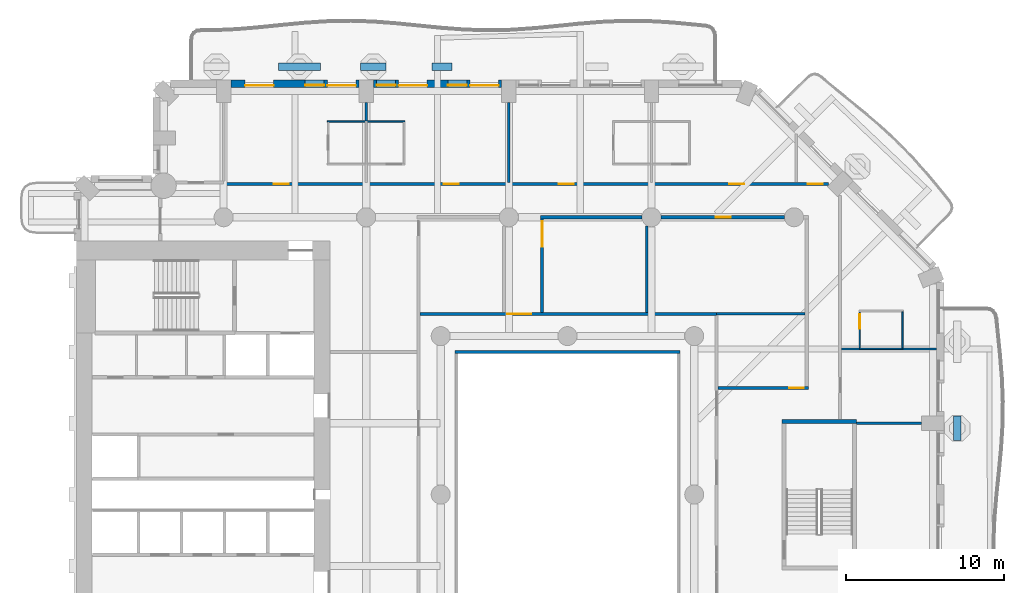
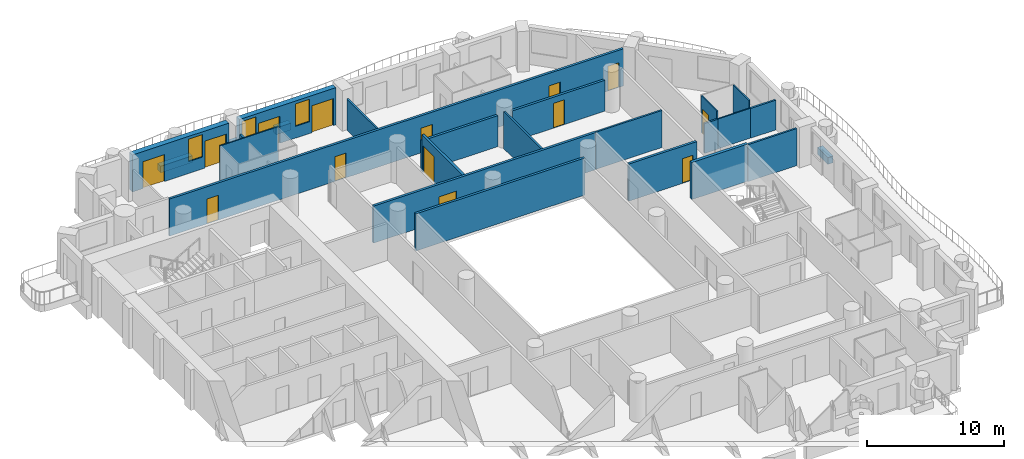
# One storey, part 8 of 19: 25 walls, 14 doors, 3 windows, 17 openings.
"""IFC4 building model written with IfcOpenShell, lengths in metres."""

from ifc_helpers import new_model, si_unit, direction, frame, frame_2d, origin, place, context, subcontext, project, spatial, rectangle, extrude, material, layer, layer_set, type_object, element, fill, save


model = new_model("IFC4")

# Units and contexts
model_context = context("Model", 3, precision=1e-05, world=origin(), true_north=direction((0.0, 1.0)))
body_context = subcontext(model_context, "Body", "Model", "MODEL_VIEW")
ifc_project = project(units=[si_unit("LENGTHUNIT", "METRE"), si_unit("AREAUNIT", "SQUARE_METRE"), si_unit("VOLUMEUNIT", "CUBIC_METRE"), si_unit("PLANEANGLEUNIT", "RADIAN"), si_unit("MASSUNIT", "GRAM", prefix="KILO")], contexts=[model_context])

# Site, building, storey
site_placement = place(None, origin())
site = spatial("IfcSite", under=ifc_project, at=site_placement, CompositionType="ELEMENT")
building_placement = place(site_placement, origin())
building = spatial("IfcBuilding", under=site, at=building_placement, Name="Cypress Arch Tower", CompositionType="ELEMENT")
storey_placement = place(building_placement, frame((0.0, 0.0, 69.89990234375)))
storey = spatial("IfcBuildingStorey", under=building, at=storey_placement, Name="L11", CompositionType="ELEMENT", Elevation=69.89990234375)

# Walls
ifc_material_1 = material(Name="Concrete C40/50, waterproofed", Category="concrete")
ifc_layer_1 = layer(ifc_material_1, 0.449951171875)
ifc_layer_set_1 = layer_set([ifc_layer_1], Name="Balcony planter wall PW450")
wall_type_1 = type_object("IfcWallType", Name="Balcony planter wall PW450", PredefinedType="SOLIDWALL", material=ifc_layer_set_1)
wall_1_placement = place(storey_placement, frame((25.60009765625, 3.42138671875, 0.0), z_axis=(0.0, 0.0, 1.0), x_axis=(0.0, 1.0, 0.0)))
element("IfcWall", 1, at=wall_1_placement, inside=storey, type_object=wall_type_1, Name="Balcony planter wall L11-A06.2", PredefinedType="SOLIDWALL", context=body_context, shape_type="SweptSolid", body=[
    extrude(rectangle(XDim=1.5224609375, YDim=0.449951171875, at=frame_2d((0.76123046875, 0.0))), origin(), (0.0, 0.0, 1.0), 0.60009765625),
])
wall_2_placement = place(storey_placement, frame((-6.300048828125, 27.0, 0.0), z_axis=(0.0, 0.0, 1.0), x_axis=(-1.0, 0.0, 0.0)))
element("IfcWall", 2, at=wall_2_placement, inside=storey, type_object=wall_type_1, Name="Balcony planter wall L11-A08.3", PredefinedType="SOLIDWALL", context=body_context, shape_type="SweptSolid", body=[
    extrude(rectangle(XDim=1.25, YDim=0.449951171875, at=frame_2d((0.625, 0.0))), origin(), (0.0, 0.0, 1.0), 0.60009765625),
])
wall_3_placement = place(storey_placement, frame((-10.4375, 27.0, 0.0), z_axis=(0.0, 0.0, 1.0), x_axis=(-1.0, 0.0, 0.0)))
element("IfcWall", 3, at=wall_3_placement, inside=storey, type_object=wall_type_1, Name="Balcony planter wall L11-A08.4", PredefinedType="SOLIDWALL", context=body_context, shape_type="SweptSolid", body=[
    extrude(rectangle(XDim=1.612548828125, YDim=0.449951171875, at=frame_2d((0.80615234375, 0.0))), origin(), (0.0, 0.0, 1.0), 0.60009765625),
])
wall_4_placement = place(storey_placement, frame((-14.574951171875, 27.0, 0.0), z_axis=(0.0, 0.0, 1.0), x_axis=(-1.0, 0.0, 0.0)))
element("IfcWall", 4, at=wall_4_placement, inside=storey, type_object=wall_type_1, Name="Balcony planter wall L11-A08.5", PredefinedType="SOLIDWALL", context=body_context, shape_type="SweptSolid", body=[
    extrude(rectangle(XDim=2.675048828125, YDim=0.449951171875, at=frame_2d((1.33740234375, 0.0))), origin(), (0.0, 0.0, 1.0), 0.60009765625),
])

# Wall, openings, doors, windows
ifc_material_2 = material(Name="Brick (red buff blend)", Category="masonry")
ifc_layer_2 = layer(ifc_material_2, 0.449951171875)
ifc_layer_set_2 = layer_set([ifc_layer_2], Name="Brick pier and spandrel wall BW450")
wall_type_2 = type_object("IfcWallType", Name="Brick pier and spandrel wall BW450", PredefinedType="SOLIDWALL", material=ifc_layer_set_2)
wall_5_placement = place(storey_placement, frame((-3.14990234375, 25.925048828125, 0.0), z_axis=(0.0, 0.0, 1.0), x_axis=(-1.0, 0.0, 0.0)))
wall_5 = element("IfcWall", 5, at=wall_5_placement, inside=storey, type_object=wall_type_2, Name="Brick wall L11 A08.2", PredefinedType="SOLIDWALL", context=body_context, shape_type="SweptSolid", body=[
    extrude(rectangle(XDim=8.10009765625, YDim=0.449951171875, at=frame_2d((4.050048828125, 0.0))), origin(), (0.0, 0.0, 1.0), 3.300048828125),
])
opening_1_placement = place(wall_5_placement, frame((0.199951171875, 0.0, 0.0)))
opening_1 = element("IfcOpeningElement", 6, at=opening_1_placement, cuts=wall_5, Name="Opening D-L11-A08.2.1", PredefinedType="OPENING", context=body_context, shape_type="SweptSolid", body=[
    extrude(rectangle(XDim=1.800048828125, YDim=2.39990234375, at=frame_2d((0.89990234375, 1.199951171875))), frame((0.0, 0.23486328125, 0.0), z_axis=(0.0, -1.0, 0.0), x_axis=(1.0, 0.0, 0.0)), (0.0, 0.0, 1.0), 0.469970703125),
])
opening_2_placement = place(wall_5_placement, frame((2.199951171875, 0.0, 1.050048828125)))
opening_2 = element("IfcOpeningElement", 7, at=opening_2_placement, cuts=wall_5, Name="Opening W120HD", PredefinedType="OPENING", context=body_context, shape_type="SweptSolid", body=[
    extrude(rectangle(XDim=1.199951171875, YDim=2.0, at=frame_2d((0.60009765625, 1.0))), frame((0.0, 0.23486328125, 0.0), z_axis=(0.0, -1.0, 0.0), x_axis=(1.0, 0.0, 0.0)), (0.0, 0.0, 1.0), 0.469970703125),
])
opening_3_placement = place(wall_5_placement, frame((4.699951171875, 0.0, 0.0)))
opening_3 = element("IfcOpeningElement", 8, at=opening_3_placement, cuts=wall_5, Name="Opening D-L11-A08.2.2", PredefinedType="OPENING", context=body_context, shape_type="SweptSolid", body=[
    extrude(rectangle(XDim=1.800048828125, YDim=2.39990234375, at=frame_2d((0.89990234375, 1.199951171875))), frame((0.0, 0.23486328125, 0.0), z_axis=(0.0, -1.0, 0.0), x_axis=(1.0, 0.0, 0.0)), (0.0, 0.0, 1.0), 0.469970703125),
])
opening_4_placement = place(wall_5_placement, frame((6.699951171875, 0.0, 1.050048828125)))
opening_4 = element("IfcOpeningElement", 9, at=opening_4_placement, cuts=wall_5, Name="Opening W120HD", PredefinedType="OPENING", context=body_context, shape_type="SweptSolid", body=[
    extrude(rectangle(XDim=1.199951171875, YDim=2.0, at=frame_2d((0.60009765625, 1.0))), frame((0.0, 0.23486328125, 0.0), z_axis=(0.0, -1.0, 0.0), x_axis=(1.0, 0.0, 0.0)), (0.0, 0.0, 1.0), 0.469970703125),
])
ifc_material_3 = material(Name="Anodised aluminium, bronze finish, laminated low-emissivity double glazing, large-missile impact rated", Category="aluminium")
door_type_1 = type_object("IfcDoorType", Name="Balcony sliding door 1800x2400", OperationType="SLIDING_TO_LEFT", PredefinedType="DOOR", material=ifc_material_3)
door_1_placement = place(opening_1_placement, origin())
door_1 = element("IfcDoor", 10, at=door_1_placement, inside=storey, type_object=door_type_1, Name="Balcony door L11 A08.2.1", OperationType="SLIDING_TO_LEFT", OverallHeight=2.39990234375, OverallWidth=1.800048828125, PredefinedType="DOOR", context=body_context, shape_type="SweptSolid", body=[
    extrude(rectangle(XDim=1.800048828125, YDim=2.39990234375, at=frame_2d((0.89990234375, 1.199951171875))), frame((0.0, 0.1298828125, 0.0), z_axis=(0.0, -1.0, 0.0), x_axis=(1.0, 0.0, 0.0)), (0.0, 0.0, 1.0), 0.050048828125),
])
fill(opening_1, door_1)
door_2_placement = place(opening_3_placement, origin())
door_2 = element("IfcDoor", 11, at=door_2_placement, inside=storey, type_object=door_type_1, Name="Balcony door L11 A08.2.2", OperationType="SLIDING_TO_LEFT", OverallHeight=2.39990234375, OverallWidth=1.800048828125, PredefinedType="DOOR", context=body_context, shape_type="SweptSolid", body=[
    extrude(rectangle(XDim=1.800048828125, YDim=2.39990234375, at=frame_2d((0.89990234375, 1.199951171875))), frame((0.0, 0.1298828125, 0.0), z_axis=(0.0, -1.0, 0.0), x_axis=(1.0, 0.0, 0.0)), (0.0, 0.0, 1.0), 0.050048828125),
])
fill(opening_3, door_2)
ifc_material_4 = material(Name="Anodised aluminium, bronze finish, laminated low-emissivity double glazing, large-missile impact rated", Category="aluminium")
window_type = type_object("IfcWindowType", Name="Window Hotel 1200x2000 debris-rated", PartitioningType="SINGLE_PANEL", PredefinedType="WINDOW", material=ifc_material_4)
window_1_placement = place(opening_2_placement, origin())
window_1 = element("IfcWindow", 12, at=window_1_placement, inside=storey, type_object=window_type, Name="Window L11 A08.2.1", OverallHeight=2.0, OverallWidth=1.199951171875, PartitioningType="SINGLE_PANEL", PredefinedType="WINDOW", context=body_context, shape_type="SweptSolid", body=[
    extrude(rectangle(XDim=1.199951171875, YDim=2.0, at=frame_2d((0.60009765625, 1.0))), frame((0.0, 0.135009765625, 0.0), z_axis=(0.0, -1.0, 0.0), x_axis=(1.0, 0.0, 0.0)), (0.0, 0.0, 1.0), 0.06005859375),
])
fill(opening_2, window_1)
window_2_placement = place(opening_4_placement, origin())
window_2 = element("IfcWindow", 13, at=window_2_placement, inside=storey, type_object=window_type, Name="Window L11 A08.2.2", OverallHeight=2.0, OverallWidth=1.199951171875, PartitioningType="SINGLE_PANEL", PredefinedType="WINDOW", context=body_context, shape_type="SweptSolid", body=[
    extrude(rectangle(XDim=1.199951171875, YDim=2.0, at=frame_2d((0.60009765625, 1.0))), frame((0.0, 0.135009765625, 0.0), z_axis=(0.0, -1.0, 0.0), x_axis=(1.0, 0.0, 0.0)), (0.0, 0.0, 1.0), 0.06005859375),
])
fill(opening_4, window_2)

# Wall, openings, doors, window
wall_6_placement = place(storey_placement, frame((-12.14990234375, 25.925048828125, 0.0), z_axis=(0.0, 0.0, 1.0), x_axis=(-1.0, 0.0, 0.0)))
wall_6 = element("IfcWall", 14, at=wall_6_placement, inside=storey, type_object=wall_type_2, Name="Brick wall L11 A08.3", PredefinedType="SOLIDWALL", context=body_context, shape_type="SweptSolid", body=[
    extrude(rectangle(XDim=8.10009765625, YDim=0.449951171875, at=frame_2d((4.050048828125, 0.0))), origin(), (0.0, 0.0, 1.0), 3.300048828125),
])
opening_5_placement = place(wall_6_placement, frame((0.199951171875, 0.0, 0.0)))
opening_5 = element("IfcOpeningElement", 15, at=opening_5_placement, cuts=wall_6, Name="Opening D-L11-A08.3.1", PredefinedType="OPENING", context=body_context, shape_type="SweptSolid", body=[
    extrude(rectangle(XDim=1.800048828125, YDim=2.39990234375, at=frame_2d((0.89990234375, 1.199951171875))), frame((0.0, 0.23486328125, 0.0), z_axis=(0.0, -1.0, 0.0), x_axis=(1.0, 0.0, 0.0)), (0.0, 0.0, 1.0), 0.469970703125),
])
opening_6_placement = place(wall_6_placement, frame((2.199951171875, 0.0, 1.050048828125)))
opening_6 = element("IfcOpeningElement", 16, at=opening_6_placement, cuts=wall_6, Name="Opening W120HD", PredefinedType="OPENING", context=body_context, shape_type="SweptSolid", body=[
    extrude(rectangle(XDim=1.199951171875, YDim=2.0, at=frame_2d((0.60009765625, 1.0))), frame((0.0, 0.23486328125, 0.0), z_axis=(0.0, -1.0, 0.0), x_axis=(1.0, 0.0, 0.0)), (0.0, 0.0, 1.0), 0.469970703125),
])
opening_7_placement = place(wall_6_placement, frame((5.39990234375, 0.0, 0.0)))
opening_7 = element("IfcOpeningElement", 17, at=opening_7_placement, cuts=wall_6, Name="Opening D-L11-A08.3.2", PredefinedType="OPENING", context=body_context, shape_type="SweptSolid", body=[
    extrude(rectangle(XDim=1.800048828125, YDim=2.39990234375, at=frame_2d((0.89990234375, 1.199951171875))), frame((0.0, 0.23486328125, 0.0), z_axis=(0.0, -1.0, 0.0), x_axis=(1.0, 0.0, 0.0)), (0.0, 0.0, 1.0), 0.469970703125),
])
door_3_placement = place(opening_5_placement, origin())
door_3 = element("IfcDoor", 18, at=door_3_placement, inside=storey, type_object=door_type_1, Name="Balcony door L11 A08.3.1", OperationType="SLIDING_TO_LEFT", OverallHeight=2.39990234375, OverallWidth=1.800048828125, PredefinedType="DOOR", context=body_context, shape_type="SweptSolid", body=[
    extrude(rectangle(XDim=1.800048828125, YDim=2.39990234375, at=frame_2d((0.89990234375, 1.199951171875))), frame((0.0, 0.1298828125, 0.0), z_axis=(0.0, -1.0, 0.0), x_axis=(1.0, 0.0, 0.0)), (0.0, 0.0, 1.0), 0.050048828125),
])
fill(opening_5, door_3)
door_4_placement = place(opening_7_placement, origin())
door_4 = element("IfcDoor", 19, at=door_4_placement, inside=storey, type_object=door_type_1, Name="Balcony door L11 A08.3.2", OperationType="SLIDING_TO_LEFT", OverallHeight=2.39990234375, OverallWidth=1.800048828125, PredefinedType="DOOR", context=body_context, shape_type="SweptSolid", body=[
    extrude(rectangle(XDim=1.800048828125, YDim=2.39990234375, at=frame_2d((0.89990234375, 1.199951171875))), frame((0.0, 0.1298828125, 0.0), z_axis=(0.0, -1.0, 0.0), x_axis=(1.0, 0.0, 0.0)), (0.0, 0.0, 1.0), 0.050048828125),
])
fill(opening_7, door_4)
window_3_placement = place(opening_6_placement, origin())
window_3 = element("IfcWindow", 20, at=window_3_placement, inside=storey, type_object=window_type, Name="Window L11 A08.3.1", OverallHeight=2.0, OverallWidth=1.199951171875, PartitioningType="SINGLE_PANEL", PredefinedType="WINDOW", context=body_context, shape_type="SweptSolid", body=[
    extrude(rectangle(XDim=1.199951171875, YDim=2.0, at=frame_2d((0.60009765625, 1.0))), frame((0.0, 0.135009765625, 0.0), z_axis=(0.0, -1.0, 0.0), x_axis=(1.0, 0.0, 0.0)), (0.0, 0.0, 1.0), 0.06005859375),
])
fill(opening_6, window_3)

# Wall, openings, doors
ifc_material_5 = material(Name="Concrete blockwork, plastered, rated", Category="masonry")
ifc_layer_3 = layer(ifc_material_5, 0.199951171875)
ifc_layer_set_3 = layer_set([ifc_layer_3], Name="Corridor wall FW200")
wall_type_3 = type_object("IfcWallType", Name="Corridor wall FW200", PredefinedType="PARTITIONING", material=ifc_layer_set_3)
wall_7_placement = place(storey_placement, frame((-20.699951171875, 19.60009765625, 0.0), z_axis=(0.0, 0.0, 1.0), x_axis=(1.0, 0.0, 0.0)))
wall_7 = element("IfcWall", 21, at=wall_7_placement, inside=storey, type_object=wall_type_3, Name="Corridor wall", PredefinedType="PARTITIONING", context=body_context, shape_type="SweptSolid", body=[
    extrude(rectangle(XDim=38.18359375, YDim=0.199951171875, at=frame_2d((19.091796875, 0.0))), origin(), (0.0, 0.0, 1.0), 3.300048828125),
])
opening_8_placement = place(wall_7_placement, frame((3.14990234375, 0.0, 0.0)))
opening_8 = element("IfcOpeningElement", 22, at=opening_8_placement, cuts=wall_7, Name="Opening D02", PredefinedType="OPENING", context=body_context, shape_type="SweptSolid", body=[
    extrude(rectangle(XDim=0.949951171875, YDim=2.199951171875, at=frame_2d((0.47509765625, 1.10009765625))), frame((0.0, 0.10986328125, 0.0), z_axis=(0.0, -1.0, 0.0), x_axis=(1.0, 0.0, 0.0)), (0.0, 0.0, 1.0), 0.219970703125),
])
opening_9_placement = place(wall_7_placement, frame((13.89990234375, 0.0, 0.0)))
opening_9 = element("IfcOpeningElement", 23, at=opening_9_placement, cuts=wall_7, Name="Opening D02", PredefinedType="OPENING", context=body_context, shape_type="SweptSolid", body=[
    extrude(rectangle(XDim=0.949951171875, YDim=2.199951171875, at=frame_2d((0.47509765625, 1.10009765625))), frame((0.0, 0.10986328125, 0.0), z_axis=(0.0, -1.0, 0.0), x_axis=(1.0, 0.0, 0.0)), (0.0, 0.0, 1.0), 0.219970703125),
])
opening_10_placement = place(wall_7_placement, frame((21.14990234375, 0.0, 0.0)))
opening_10 = element("IfcOpeningElement", 24, at=opening_10_placement, cuts=wall_7, Name="Opening D02", PredefinedType="OPENING", context=body_context, shape_type="SweptSolid", body=[
    extrude(rectangle(XDim=0.949951171875, YDim=2.199951171875, at=frame_2d((0.47509765625, 1.10009765625))), frame((0.0, 0.10986328125, 0.0), z_axis=(0.0, -1.0, 0.0), x_axis=(1.0, 0.0, 0.0)), (0.0, 0.0, 1.0), 0.219970703125),
])
opening_11_placement = place(wall_7_placement, frame((31.89990234375, 0.0, 0.0)))
opening_11 = element("IfcOpeningElement", 25, at=opening_11_placement, cuts=wall_7, Name="Opening D02", PredefinedType="OPENING", context=body_context, shape_type="SweptSolid", body=[
    extrude(rectangle(XDim=0.949951171875, YDim=2.199951171875, at=frame_2d((0.47509765625, 1.10009765625))), frame((0.0, 0.10986328125, 0.0), z_axis=(0.0, -1.0, 0.0), x_axis=(1.0, 0.0, 0.0)), (0.0, 0.0, 1.0), 0.219970703125),
])
opening_12_placement = place(wall_7_placement, frame((36.85009765625, 0.0, 0.0)))
opening_12 = element("IfcOpeningElement", 26, at=opening_12_placement, cuts=wall_7, Name="Opening D02", PredefinedType="OPENING", context=body_context, shape_type="SweptSolid", body=[
    extrude(rectangle(XDim=0.949951171875, YDim=2.199951171875, at=frame_2d((0.47509765625, 1.10009765625))), frame((0.0, 0.10986328125, 0.0), z_axis=(0.0, -1.0, 0.0), x_axis=(1.0, 0.0, 0.0)), (0.0, 0.0, 1.0), 0.219970703125),
])
ifc_material_6 = material(Name="Timber flush door, fire resisting", Category="wood")
door_type_2 = type_object("IfcDoorType", Name="Room door D02 950x2200", OperationType="SINGLE_SWING_LEFT", PredefinedType="DOOR", material=ifc_material_6)
door_5_placement = place(opening_8_placement, origin())
door_5 = element("IfcDoor", 27, at=door_5_placement, inside=storey, type_object=door_type_2, Name="Room door", OperationType="SINGLE_SWING_LEFT", OverallHeight=2.199951171875, OverallWidth=0.949951171875, PredefinedType="DOOR", context=body_context, shape_type="SweptSolid", body=[
    extrude(rectangle(XDim=0.949951171875, YDim=2.199951171875, at=frame_2d((0.47509765625, 1.10009765625))), frame((0.0, 0.02490234375, 0.0), z_axis=(0.0, -1.0, 0.0), x_axis=(1.0, 0.0, 0.0)), (0.0, 0.0, 1.0), 0.050048828125),
])
fill(opening_8, door_5)
door_6_placement = place(opening_9_placement, origin())
door_6 = element("IfcDoor", 28, at=door_6_placement, inside=storey, type_object=door_type_2, Name="Room door", OperationType="SINGLE_SWING_LEFT", OverallHeight=2.199951171875, OverallWidth=0.949951171875, PredefinedType="DOOR", context=body_context, shape_type="SweptSolid", body=[
    extrude(rectangle(XDim=0.949951171875, YDim=2.199951171875, at=frame_2d((0.47509765625, 1.10009765625))), frame((0.0, 0.02490234375, 0.0), z_axis=(0.0, -1.0, 0.0), x_axis=(1.0, 0.0, 0.0)), (0.0, 0.0, 1.0), 0.050048828125),
])
fill(opening_9, door_6)
door_7_placement = place(opening_10_placement, origin())
door_7 = element("IfcDoor", 29, at=door_7_placement, inside=storey, type_object=door_type_2, Name="Room door", OperationType="SINGLE_SWING_RIGHT", OverallHeight=2.199951171875, OverallWidth=0.949951171875, PredefinedType="DOOR", context=body_context, shape_type="SweptSolid", body=[
    extrude(rectangle(XDim=0.949951171875, YDim=2.199951171875, at=frame_2d((0.47509765625, 1.10009765625))), frame((0.0, 0.02490234375, 0.0), z_axis=(0.0, -1.0, 0.0), x_axis=(1.0, 0.0, 0.0)), (0.0, 0.0, 1.0), 0.050048828125),
])
fill(opening_10, door_7)
door_8_placement = place(opening_11_placement, origin())
door_8 = element("IfcDoor", 30, at=door_8_placement, inside=storey, type_object=door_type_2, Name="Room door", OperationType="SINGLE_SWING_RIGHT", OverallHeight=2.199951171875, OverallWidth=0.949951171875, PredefinedType="DOOR", context=body_context, shape_type="SweptSolid", body=[
    extrude(rectangle(XDim=0.949951171875, YDim=2.199951171875, at=frame_2d((0.47509765625, 1.10009765625))), frame((0.0, 0.02490234375, 0.0), z_axis=(0.0, -1.0, 0.0), x_axis=(1.0, 0.0, 0.0)), (0.0, 0.0, 1.0), 0.050048828125),
])
fill(opening_11, door_8)
door_9_placement = place(opening_12_placement, origin())
door_9 = element("IfcDoor", 31, at=door_9_placement, inside=storey, type_object=door_type_2, Name="Room door", OperationType="SINGLE_SWING_LEFT", OverallHeight=2.199951171875, OverallWidth=0.949951171875, PredefinedType="DOOR", context=body_context, shape_type="SweptSolid", body=[
    extrude(rectangle(XDim=0.949951171875, YDim=2.199951171875, at=frame_2d((0.47509765625, 1.10009765625))), frame((0.0, 0.02490234375, 0.0), z_axis=(0.0, -1.0, 0.0), x_axis=(1.0, 0.0, 0.0)), (0.0, 0.0, 1.0), 0.050048828125),
])
fill(opening_12, door_9)

# Wall, opening, door
wall_8_placement = place(storey_placement, frame((-8.300048828125, 11.39990234375, 0.0), z_axis=(0.0, 0.0, 1.0), x_axis=(1.0, 0.0, 0.0)))
wall_8 = element("IfcWall", 32, at=wall_8_placement, inside=storey, type_object=wall_type_3, Name="Corridor wall", PredefinedType="PARTITIONING", context=body_context, shape_type="SweptSolid", body=[
    extrude(rectangle(XDim=18.699951171875, YDim=0.199951171875, at=frame_2d((9.35009765625, 0.0))), origin(), (0.0, 0.0, 1.0), 3.300048828125),
])
opening_13_placement = place(wall_8_placement, frame((5.5, 0.0, 0.0)))
opening_13 = element("IfcOpeningElement", 33, at=opening_13_placement, cuts=wall_8, Name="Opening D04", PredefinedType="OPENING", context=body_context, shape_type="SweptSolid", body=[
    extrude(rectangle(XDim=1.5, YDim=2.199951171875, at=frame_2d((0.75, 1.10009765625))), frame((0.0, 0.10986328125, 0.0), z_axis=(0.0, -1.0, 0.0), x_axis=(1.0, 0.0, 0.0)), (0.0, 0.0, 1.0), 0.219970703125),
])
ifc_material_7 = material(Name="Timber double door", Category="wood")
door_type_3 = type_object("IfcDoorType", Name="Double door D04 1500x2200", OperationType="DOUBLE_DOOR_SINGLE_SWING", PredefinedType="DOOR", material=ifc_material_7)
door_10_placement = place(opening_13_placement, origin())
door_10 = element("IfcDoor", 34, at=door_10_placement, inside=storey, type_object=door_type_3, Name="Double door", OperationType="DOUBLE_DOOR_SINGLE_SWING", OverallHeight=2.199951171875, OverallWidth=1.5, PredefinedType="DOOR", context=body_context, shape_type="SweptSolid", body=[
    extrude(rectangle(XDim=1.5, YDim=2.199951171875, at=frame_2d((0.75, 1.10009765625))), frame((0.0, 0.02490234375, 0.0), z_axis=(0.0, -1.0, 0.0), x_axis=(1.0, 0.0, 0.0)), (0.0, 0.0, 1.0), 0.050048828125),
])
fill(opening_13, door_10)

# Wall
wall_9_placement = place(storey_placement, frame((-6.10009765625, 9.0, 0.0), z_axis=(0.0, 0.0, 1.0), x_axis=(1.0, 0.0, 0.0)))
element("IfcWall", 35, at=wall_9_placement, inside=storey, type_object=wall_type_3, Name="Corridor wall", PredefinedType="PARTITIONING", context=body_context, shape_type="SweptSolid", body=[
    extrude(rectangle(XDim=14.2001953125, YDim=0.199951171875, at=frame_2d((7.10009765625, 0.0))), origin(), (0.0, 0.0, 1.0), 3.300048828125),
])

# Wall, opening, door
wall_10_placement = place(storey_placement, frame((-0.60009765625, 11.5, 0.0), z_axis=(0.0, 0.0, 1.0), x_axis=(0.0, 1.0, 0.0)))
wall_10 = element("IfcWall", 36, at=wall_10_placement, inside=storey, type_object=wall_type_3, Name="Corridor wall", PredefinedType="PARTITIONING", context=body_context, shape_type="SweptSolid", body=[
    extrude(rectangle(XDim=5.89990234375, YDim=0.199951171875, at=frame_2d((2.949951171875, 0.0))), origin(), (0.0, 0.0, 1.0), 3.300048828125),
])
opening_14_placement = place(wall_10_placement, frame((4.14990234375, 0.0, 0.0)))
opening_14 = element("IfcOpeningElement", 37, at=opening_14_placement, cuts=wall_10, Name="Opening D10", PredefinedType="OPENING", context=body_context, shape_type="SweptSolid", body=[
    extrude(rectangle(XDim=1.60009765625, YDim=2.39990234375, at=frame_2d((0.800048828125, 1.199951171875))), frame((0.0, 0.10986328125, 0.0), z_axis=(0.0, -1.0, 0.0), x_axis=(1.0, 0.0, 0.0)), (0.0, 0.0, 1.0), 0.219970703125),
])
ifc_material_8 = material(Name="Black aluminium glazed door", Category="aluminium")
door_type_4 = type_object("IfcDoorType", Name="Amenity door D10 1600x2400", OperationType="DOUBLE_DOOR_SINGLE_SWING", PredefinedType="DOOR", material=ifc_material_8)
door_11_placement = place(opening_14_placement, origin())
door_11 = element("IfcDoor", 38, at=door_11_placement, inside=storey, type_object=door_type_4, Name="Amenity door", OperationType="DOUBLE_DOOR_SINGLE_SWING", OverallHeight=2.39990234375, OverallWidth=1.60009765625, PredefinedType="DOOR", context=body_context, shape_type="SweptSolid", body=[
    extrude(rectangle(XDim=1.60009765625, YDim=2.39990234375, at=frame_2d((0.800048828125, 1.199951171875))), frame((0.0, 0.02490234375, 0.0), z_axis=(0.0, -1.0, 0.0), x_axis=(1.0, 0.0, 0.0)), (0.0, 0.0, 1.0), 0.050048828125),
])
fill(opening_14, door_11)

# Wall
wall_11_placement = place(storey_placement, frame((-0.699951171875, 17.5, 0.0), z_axis=(0.0, 0.0, 1.0), x_axis=(1.0, 0.0, 0.0)))
element("IfcWall", 39, at=wall_11_placement, inside=storey, type_object=wall_type_3, Name="Corridor wall", PredefinedType="PARTITIONING", context=body_context, shape_type="SweptSolid", body=[
    extrude(rectangle(XDim=6.39990234375, YDim=0.199951171875, at=frame_2d((3.199951171875, 0.0))), origin(), (0.0, 0.0, 1.0), 2.75),
])

# Wall, opening, door
wall_12_placement = place(storey_placement, frame((6.89990234375, 17.5, 0.0), z_axis=(0.0, 0.0, 1.0), x_axis=(1.0, 0.0, 0.0)))
wall_12 = element("IfcWall", 40, at=wall_12_placement, inside=storey, type_object=wall_type_3, Name="Corridor wall", PredefinedType="PARTITIONING", context=body_context, shape_type="SweptSolid", body=[
    extrude(rectangle(XDim=7.800048828125, YDim=0.199951171875, at=frame_2d((3.89990234375, 0.0))), origin(), (0.0, 0.0, 1.0), 2.75),
])
opening_15_placement = place(wall_12_placement, frame((3.449951171875, 0.0, 0.0)))
opening_15 = element("IfcOpeningElement", 41, at=opening_15_placement, cuts=wall_12, Name="Opening D02", PredefinedType="OPENING", context=body_context, shape_type="SweptSolid", body=[
    extrude(rectangle(XDim=0.949951171875, YDim=2.199951171875, at=frame_2d((0.47509765625, 1.10009765625))), frame((0.0, 0.10986328125, 0.0), z_axis=(0.0, -1.0, 0.0), x_axis=(1.0, 0.0, 0.0)), (0.0, 0.0, 1.0), 0.219970703125),
])
door_12_placement = place(opening_15_placement, origin())
door_12 = element("IfcDoor", 42, at=door_12_placement, inside=storey, type_object=door_type_2, Name="Room door", OperationType="SINGLE_SWING_LEFT", OverallHeight=2.199951171875, OverallWidth=0.949951171875, PredefinedType="DOOR", context=body_context, shape_type="SweptSolid", body=[
    extrude(rectangle(XDim=0.949951171875, YDim=2.199951171875, at=frame_2d((0.47509765625, 1.10009765625))), frame((0.0, 0.02490234375, 0.0), z_axis=(0.0, -1.0, 0.0), x_axis=(1.0, 0.0, 0.0)), (0.0, 0.0, 1.0), 0.050048828125),
])
fill(opening_15, door_12)

wall_13_placement = place(storey_placement, frame((10.5, 6.72509765625, 0.0), z_axis=(0.0, 0.0, 1.0), x_axis=(1.0, 0.0, 0.0)))
wall_13 = element("IfcWall", 43, at=wall_13_placement, inside=storey, type_object=wall_type_3, Name="Corridor wall", PredefinedType="PARTITIONING", context=body_context, shape_type="SweptSolid", body=[
    extrude(rectangle(XDim=5.699951171875, YDim=0.199951171875, at=frame_2d((2.85009765625, 0.0))), origin(), (0.0, 0.0, 1.0), 3.300048828125),
])
opening_16_placement = place(wall_13_placement, frame((4.5, 0.0, 0.0)))
opening_16 = element("IfcOpeningElement", 44, at=opening_16_placement, cuts=wall_13, Name="Opening D05", PredefinedType="OPENING", context=body_context, shape_type="SweptSolid", body=[
    extrude(rectangle(XDim=0.89990234375, YDim=2.199951171875, at=frame_2d((0.449951171875, 1.10009765625))), frame((0.0, 0.10986328125, 0.0), z_axis=(0.0, -1.0, 0.0), x_axis=(1.0, 0.0, 0.0)), (0.0, 0.0, 1.0), 0.219970703125),
])
ifc_material_9 = material(Name="Timber flush door", Category="wood")
door_type_5 = type_object("IfcDoorType", Name="Service door D05 900x2200", OperationType="SINGLE_SWING_LEFT", PredefinedType="DOOR", material=ifc_material_9)
door_13_placement = place(opening_16_placement, origin())
door_13 = element("IfcDoor", 45, at=door_13_placement, inside=storey, type_object=door_type_5, Name="Service door", OperationType="SINGLE_SWING_RIGHT", OverallHeight=2.199951171875, OverallWidth=0.89990234375, PredefinedType="DOOR", context=body_context, shape_type="SweptSolid", body=[
    extrude(rectangle(XDim=0.89990234375, YDim=2.199951171875, at=frame_2d((0.449951171875, 1.10009765625))), frame((0.0, 0.02490234375, 0.0), z_axis=(0.0, -1.0, 0.0), x_axis=(1.0, 0.0, 0.0)), (0.0, 0.0, 1.0), 0.050048828125),
])
fill(opening_16, door_13)

# Walls
ifc_material_10 = material(Name="Blockwork, plastered both sides", Category="masonry")
ifc_layer_4 = layer(ifc_material_10, 0.14990234375)
ifc_layer_set_4 = layer_set([ifc_layer_4], Name="Partition PW150")
wall_type_4 = type_object("IfcWallType", Name="Partition PW150", PredefinedType="PARTITIONING", material=ifc_layer_set_4)
wall_14_placement = place(storey_placement, frame((-11.699951171875, 23.570068359375, 0.0), z_axis=(0.0, 0.0, 1.0), x_axis=(0.0, 1.0, 0.0)))
element("IfcWall", 46, at=wall_14_placement, inside=storey, type_object=wall_type_4, Name="Partition", PredefinedType="PARTITIONING", context=body_context, shape_type="SweptSolid", body=[
    extrude(rectangle(XDim=1.179931640625, YDim=0.14990234375, at=frame_2d((0.58984375, 0.0))), origin(), (0.0, 0.0, 1.0), 2.75),
])
wall_15_placement = place(storey_placement, frame((-2.699951171875, 19.699951171875, 0.0), z_axis=(0.0, 0.0, 1.0), x_axis=(0.0, 1.0, 0.0)))
element("IfcWall", 47, at=wall_15_placement, inside=storey, type_object=wall_type_4, Name="Partition", PredefinedType="PARTITIONING", context=body_context, shape_type="SweptSolid", body=[
    extrude(rectangle(XDim=5.050048828125, YDim=0.14990234375, at=frame_2d((2.52490234375, 0.0))), origin(), (0.0, 0.0, 1.0), 2.75),
])
wall_16_placement = place(storey_placement, frame((6.0, 11.5, 0.0), z_axis=(0.0, 0.0, 1.0), x_axis=(0.0, 1.0, 0.0)))
element("IfcWall", 48, at=wall_16_placement, inside=storey, type_object=wall_type_4, Name="Partition", PredefinedType="PARTITIONING", context=body_context, shape_type="SweptSolid", body=[
    extrude(rectangle(XDim=5.453369140625, YDim=0.14990234375, at=frame_2d((2.7265625, 0.0))), origin(), (0.0, 0.0, 1.0), 3.300048828125),
])
wall_17_placement = place(storey_placement, frame((10.39990234375, 11.39990234375, 0.0), z_axis=(0.0, 0.0, 1.0), x_axis=(1.0, 0.0, 0.0)))
element("IfcWall", 49, at=wall_17_placement, inside=storey, type_object=wall_type_4, Name="Partition", PredefinedType="PARTITIONING", context=body_context, shape_type="SweptSolid", body=[
    extrude(rectangle(XDim=5.60009765625, YDim=0.14990234375, at=frame_2d((2.800048828125, 0.0))), origin(), (0.0, 0.0, 1.0), 3.300048828125),
])
wall_18_placement = place(storey_placement, frame((18.300048828125, 9.18994140625, 0.0), z_axis=(0.0, 0.0, 1.0), x_axis=(1.0, 0.0, 0.0)))
element("IfcWall", 50, at=wall_18_placement, inside=storey, type_object=wall_type_4, Name="Partition", PredefinedType="PARTITIONING", context=body_context, shape_type="SweptSolid", body=[
    extrude(rectangle(XDim=1.1298828125, YDim=0.14990234375, at=frame_2d((0.56494140625, 0.0))), origin(), (0.0, 0.0, 1.0), 2.650146484375),
])
wall_19_placement = place(storey_placement, frame((19.25, 4.5, 0.0), z_axis=(0.0, 0.0, 1.0), x_axis=(1.0, 0.0, 0.0)))
element("IfcWall", 51, at=wall_19_placement, inside=storey, type_object=wall_type_4, Name="Partition", PredefinedType="PARTITIONING", context=body_context, shape_type="SweptSolid", body=[
    extrude(rectangle(XDim=4.10009765625, YDim=0.14990234375, at=frame_2d((2.050048828125, 0.0))), origin(), (0.0, 0.0, 1.0), 3.300048828125),
])
wall_20_placement = place(storey_placement, frame((22.169921875, 9.18994140625, 0.0), z_axis=(0.0, 0.0, 1.0), x_axis=(1.0, 0.0, 0.0)))
element("IfcWall", 52, at=wall_20_placement, inside=storey, type_object=wall_type_4, Name="Partition", PredefinedType="PARTITIONING", context=body_context, shape_type="SweptSolid", body=[
    extrude(rectangle(XDim=2.130126953125, YDim=0.14990234375, at=frame_2d((1.06494140625, 0.0))), origin(), (0.0, 0.0, 1.0), 2.650146484375),
])
ifc_material_11 = material(Name="Concrete C50/60", Category="concrete")
ifc_layer_5 = layer(ifc_material_11, 0.25)
ifc_layer_set_5 = layer_set([ifc_layer_5], Name="Stair enclosure wall SW250")
wall_type_5 = type_object("IfcWallType", Name="Stair enclosure wall SW250", PredefinedType="SHEAR", material=ifc_layer_set_5)
wall_21_placement = place(storey_placement, frame((14.550048828125, 4.625, 0.0), z_axis=(0.0, 0.0, 1.0), x_axis=(1.0, 0.0, 0.0)))
element("IfcWall", 53, at=wall_21_placement, inside=storey, type_object=wall_type_5, Name="Stair enclosure wall", PredefinedType="SHEAR", context=body_context, shape_type="SweptSolid", body=[
    extrude(rectangle(XDim=4.699951171875, YDim=0.25, at=frame_2d((2.35009765625, 0.0))), origin(), (0.0, 0.0, 1.0), 3.300048828125),
])
ifc_material_12 = material(Name="Moisture resistant board on steel studs, tiled", Category="steel")
ifc_layer_6 = layer(ifc_material_12, 0.10009765625)
ifc_layer_set_6 = layer_set([ifc_layer_6], Name="Wet wall PW100")
wall_type_6 = type_object("IfcWallType", Name="Wet wall PW100", PredefinedType="PARTITIONING", material=ifc_layer_set_6)
wall_22_placement = place(storey_placement, frame((-14.14599609375, 23.550048828125, 0.0), z_axis=(0.0, 0.0, 1.0), x_axis=(1.0, 0.0, 0.0)))
element("IfcWall", 54, at=wall_22_placement, inside=storey, type_object=wall_type_6, Name="Wet wall", PredefinedType="PARTITIONING", context=body_context, shape_type="SweptSolid", body=[
    extrude(rectangle(XDim=4.89208984375, YDim=0.10009765625, at=frame_2d((2.446044921875, 0.0))), origin(), (0.0, 0.0, 1.0), 3.300048828125),
])
wall_23_placement = place(storey_placement, frame((19.429931640625, 9.18994140625, 0.0), z_axis=(0.0, 0.0, 1.0), x_axis=(1.0, 0.0, 0.0)))
element("IfcWall", 55, at=wall_23_placement, inside=storey, type_object=wall_type_6, Name="Wet wall", PredefinedType="PARTITIONING", context=body_context, shape_type="SweptSolid", body=[
    extrude(rectangle(XDim=2.739990234375, YDim=0.10009765625, at=frame_2d((1.3701171875, 0.0))), origin(), (0.0, 0.0, 1.0), 2.650146484375),
])

# Wall, opening, door
wall_24_placement = place(storey_placement, frame((19.449951171875, 9.264892578125, 0.0), z_axis=(0.0, 0.0, 1.0), x_axis=(0.0, 1.0, 0.0)))
wall_24 = element("IfcWall", 56, at=wall_24_placement, inside=storey, type_object=wall_type_6, Name="Wet wall", PredefinedType="PARTITIONING", context=body_context, shape_type="SweptSolid", body=[
    extrude(rectangle(XDim=2.27099609375, YDim=0.10009765625, at=frame_2d((1.135498046875, 0.0))), origin(), (0.0, 0.0, 1.0), 3.300048828125),
])
opening_17_placement = place(wall_24_placement, frame((1.199951171875, 0.0, 0.0)))
opening_17 = element("IfcOpeningElement", 57, at=opening_17_placement, cuts=wall_24, Name="Opening D03", PredefinedType="OPENING", context=body_context, shape_type="SweptSolid", body=[
    extrude(rectangle(XDim=0.89990234375, YDim=2.199951171875, at=frame_2d((0.449951171875, 1.10009765625))), frame((0.0, 0.06005859375, 0.0), z_axis=(0.0, -1.0, 0.0), x_axis=(1.0, 0.0, 0.0)), (0.0, 0.0, 1.0), 0.1201171875),
])
ifc_material_13 = material(Name="Timber flush door, moisture resistant", Category="wood")
door_type_6 = type_object("IfcDoorType", Name="Bathroom door D03 900x2200", OperationType="SINGLE_SWING_LEFT", PredefinedType="DOOR", material=ifc_material_13)
door_14_placement = place(opening_17_placement, origin())
door_14 = element("IfcDoor", 58, at=door_14_placement, inside=storey, type_object=door_type_6, Name="Bathroom door", OperationType="SINGLE_SWING_LEFT", OverallHeight=2.199951171875, OverallWidth=0.89990234375, PredefinedType="DOOR", context=body_context, shape_type="SweptSolid", body=[
    extrude(rectangle(XDim=0.89990234375, YDim=2.199951171875, at=frame_2d((0.449951171875, 1.10009765625))), frame((0.0, 0.02490234375, 0.0), z_axis=(0.0, -1.0, 0.0), x_axis=(1.0, 0.0, 0.0)), (0.0, 0.0, 1.0), 0.050048828125),
])
fill(opening_17, door_14)

# Wall
wall_25_placement = place(storey_placement, frame((22.14990234375, 9.239990234375, 0.0), z_axis=(0.0, 0.0, 1.0), x_axis=(0.0, 1.0, 0.0)))
element("IfcWall", 59, at=wall_25_placement, inside=storey, type_object=wall_type_6, Name="Wet wall", PredefinedType="PARTITIONING", context=body_context, shape_type="SweptSolid", body=[
    extrude(rectangle(XDim=2.2958984375, YDim=0.10009765625, at=frame_2d((1.14794921875, 0.0))), origin(), (0.0, 0.0, 1.0), 3.300048828125),
])

save(model, "model.ifc")
